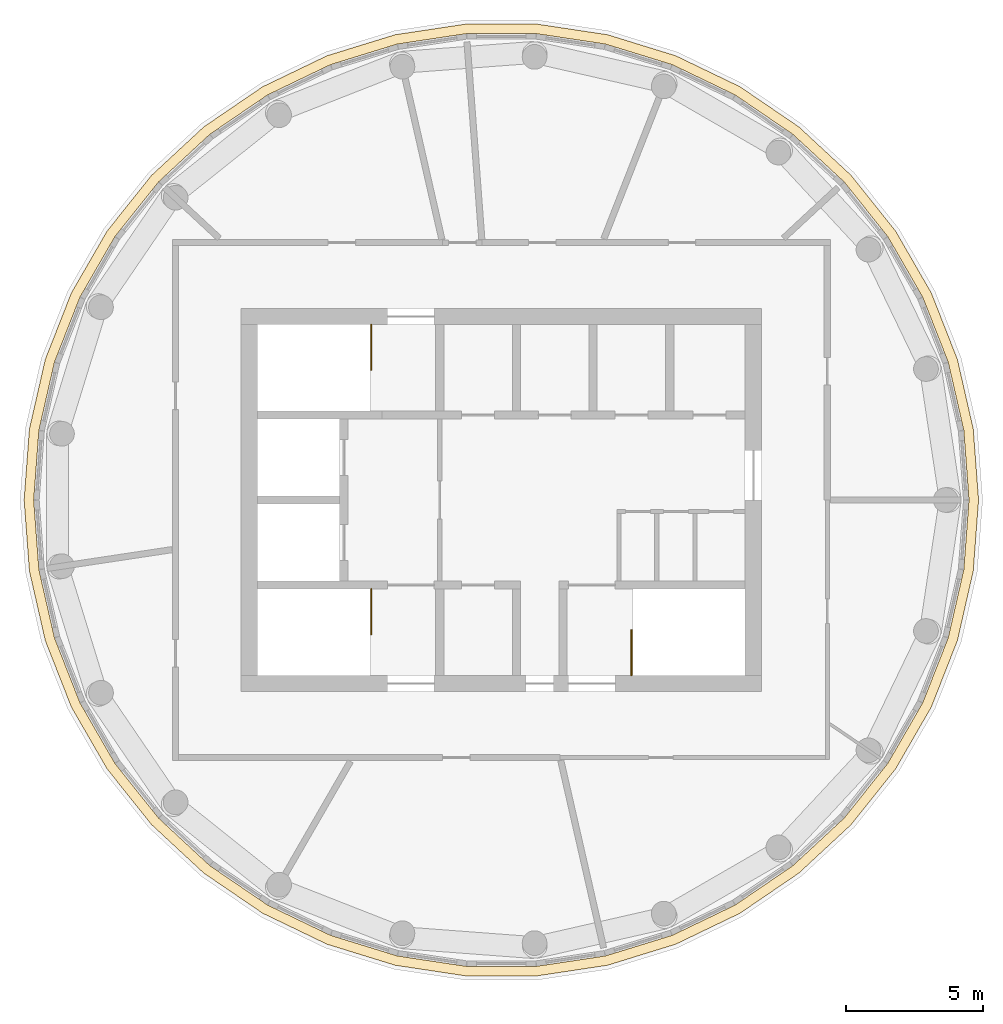
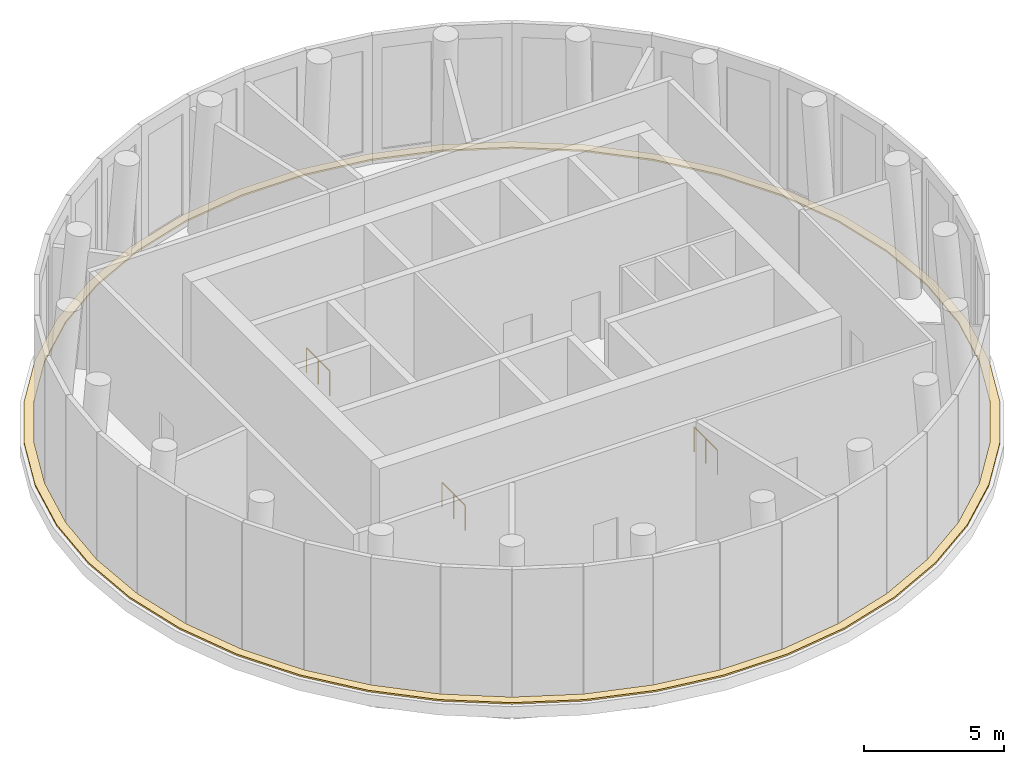
# One storey, part 6 of 6: 3 railings, 1 covering.
"""IFC4 building model written with IfcOpenShell, lengths in metres."""

import ifcopenshell
import ifcopenshell.guid

model = None  # the IFC model being written
_history = None  # IfcOwnerHistory: only IFC2X3 demands one
_inside = {}  # id of a spatial element -> (the spatial element, [elements in it])
_under = {}  # id of a project, library or spatial element -> (it, [spatial elements below it])
_declared = {}  # id of a project -> (the project, [libraries it declares])
_typed = {}  # id of a type object -> (the type object, [elements of that type])
_made_of = {}  # id of a material, layer set ... -> (it, [elements and type objects made of it])


def new_model(schema):
    """Start an empty IFC model of exactly this schema.

    Asked for "IFC4X3", IfcOpenShell would pick the latest addendum, in which some entities
    have other attributes; the version numbers below select the first issue.
    IFC2X3 requires an IfcOwnerHistory on every rooted entity: one is made here for all.
    """
    global model, _history
    if schema == "IFC4X3":
        model = ifcopenshell.file(schema_version=(4, 3, 0, 0))
    else:
        model = ifcopenshell.file(schema=schema)
    _inside.clear()
    _under.clear()
    _declared.clear()
    _typed.clear()
    _made_of.clear()
    _history = None
    if model.schema == "IFC2X3":
        org = make("IfcOrganization", Name="unknown")
        user = make(
            "IfcPersonAndOrganization",
            ThePerson=make("IfcPerson", FamilyName="unknown"),
            TheOrganization=org,
        )
        app = make(
            "IfcApplication",
            ApplicationDeveloper=org,
            Version="unknown",
            ApplicationFullName="unknown",
            ApplicationIdentifier="unknown",
        )
        _history = make(
            "IfcOwnerHistory",
            OwningUser=user,
            OwningApplication=app,
            ChangeAction="ADDED",
            CreationDate=0,
        )
    return model


def make(cls, **values):
    """One entity of the class cls with the attributes given. An attribute that is None is left unset."""
    return model.create_entity(
        cls, **{name: value for name, value in values.items() if value is not None}
    )


def rooted(cls, **values):
    """An entity with a GlobalId (a new one), such as an element, a storey or a relation."""
    return make(cls, GlobalId=ifcopenshell.guid.new(), OwnerHistory=_history, **values)


def si_unit(unit_type, name, prefix=None):
    """IfcSIUnit, for example si_unit("LENGTHUNIT", "METRE", prefix="MILLI")."""
    return make("IfcSIUnit", UnitType=unit_type, Prefix=prefix, Name=name)


def assignment(units):
    """IfcUnitAssignment: the units of a project."""
    return None if units is None else make("IfcUnitAssignment", Units=units)


def point(xyz):
    """IfcCartesianPoint."""
    return None if xyz is None else make("IfcCartesianPoint", Coordinates=xyz)


def direction(xyz):
    """IfcDirection."""
    return None if xyz is None else make("IfcDirection", DirectionRatios=xyz)


def frame(location, z_axis=None, x_axis=None):
    """IfcAxis2Placement3D, a coordinate frame: its origin and axes. An axis left out is left unset."""
    return make(
        "IfcAxis2Placement3D",
        Location=point(location),
        Axis=direction(z_axis),
        RefDirection=direction(x_axis),
    )


def frame_2d(location, x_axis=None):
    """IfcAxis2Placement2D, a coordinate frame in the plane: its origin and x axis."""
    return make(
        "IfcAxis2Placement2D", Location=point(location), RefDirection=direction(x_axis)
    )


def origin():
    """The frame at (0, 0, 0) with its axes left unset."""
    return frame((0.0, 0.0, 0.0))


def origin_2d():
    """The frame at (0, 0) in the plane with its x axis left unset."""
    return frame_2d((0.0, 0.0))


def place(relative_to, where):
    """IfcLocalPlacement: puts the frame where relative to a parent placement (None: the world)."""
    return make(
        "IfcLocalPlacement", PlacementRelTo=relative_to, RelativePlacement=where
    )


def context(
    kind, dimensions, precision=None, world=None, true_north=None, identifier=None
):
    """IfcGeometricRepresentationContext, for example the 3D "Model" context."""
    return make(
        "IfcGeometricRepresentationContext",
        ContextIdentifier=identifier,
        ContextType=kind,
        CoordinateSpaceDimension=dimensions,
        Precision=precision,
        WorldCoordinateSystem=world,
        TrueNorth=true_north,
    )


def subcontext(parent, identifier, kind, view, scale=None):
    """IfcGeometricRepresentationSubContext, for example "Body" below "Model"."""
    return make(
        "IfcGeometricRepresentationSubContext",
        ContextIdentifier=identifier,
        ContextType=kind,
        ParentContext=parent,
        TargetScale=scale,
        TargetView=view,
    )


def project(units=None, contexts=None):
    """IfcProject with its units and contexts."""
    return rooted(
        "IfcProject",
        Name="project",
        RepresentationContexts=contexts,
        UnitsInContext=assignment(units),
    )


def spatial(cls, under=None, at=None, **own):
    """A site, building, storey or space (cls), placed at a placement, below another one or the project."""
    s = rooted(cls, ObjectPlacement=at, **own)
    if under is not None:
        _under.setdefault(under.id(), (under, []))[1].append(s)
    return s


def polyline(points):
    """IfcPolyline through the points."""
    return make("IfcPolyline", Points=[point(p) for p in points])


def profile(cls, at=None, kind="AREA", **sizes):
    """A parametric profile (cls). Its sizes go by their IFC names, for example OverallWidth=200.0."""
    return make(cls, ProfileType=kind, Position=at, **sizes)


def circle(**sizes):
    """IfcCircleProfileDef."""
    return profile("IfcCircleProfileDef", **sizes)


def outline(outer, holes=None, kind="AREA"):
    """IfcArbitraryClosedProfileDef: a profile drawn as a closed curve; with holes, ...WithVoids."""
    if holes is None:
        return make("IfcArbitraryClosedProfileDef", ProfileType=kind, OuterCurve=outer)
    return make(
        "IfcArbitraryProfileDefWithVoids",
        ProfileType=kind,
        OuterCurve=outer,
        InnerCurves=holes,
    )


def extrude(swept, where, along, depth):
    """IfcExtrudedAreaSolid: the profile swept, set in the frame where, extruded along a direction by depth."""
    return make(
        "IfcExtrudedAreaSolid",
        SweptArea=swept,
        Position=where,
        ExtrudedDirection=direction(along),
        Depth=depth,
    )


def shape(context_of_items, identifier, shape_type, items):
    """IfcShapeRepresentation: the items that make up one representation, for example the "Body"."""
    return make(
        "IfcShapeRepresentation",
        ContextOfItems=context_of_items,
        RepresentationIdentifier=identifier,
        RepresentationType=shape_type,
        Items=items,
    )


def material(Name=None, Category=None):
    """IfcMaterial."""
    return make("IfcMaterial", Name=Name, Category=Category)


def layer(
    of_material, thickness, ventilated=None, Name=None, Category=None, Priority=None
):
    """IfcMaterialLayer: one layer of a wall or slab, of a material (None: an air gap)."""
    return make(
        "IfcMaterialLayer",
        Material=of_material,
        LayerThickness=thickness,
        IsVentilated=ventilated,
        Name=Name,
        Category=Category,
        Priority=Priority,
    )


def layer_set(layers, Name=None):
    """IfcMaterialLayerSet."""
    return make("IfcMaterialLayerSet", MaterialLayers=layers, LayerSetName=Name)


def made_of(thing, what):
    """Note that an element or type object is made of a material, layer set ...; save() writes the relation."""
    if what is not None:
        _made_of.setdefault(what.id(), (what, []))[1].append(thing)
    return thing


def type_object(cls, material=None, **own):
    """A type object (cls), such as IfcWallType, which elements share."""
    return made_of(rooted(cls, **own), material)


def element(
    cls,
    number,
    at=None,
    inside=None,
    cuts=None,
    type_object=None,
    material=None,
    context=None,
    identifier="Body",
    shape_type=None,
    held_by="IfcProductDefinitionShape",
    body=None,
    shapes=None,
    **own,
):
    """One element of the class cls, such as IfcWall. Its Tag is "e" and its number.

    at: its placement. inside: the storey or other place that contains it. cuts: it is an
    opening in that element (IfcRelVoidsElement). A single representation is given by context,
    identifier, shape_type and body (its items); several are given by shapes. held_by: the class
    of the entity that holds the representations. save() writes the other relations.
    """
    e = rooted(cls, Tag="e%d" % number, ObjectPlacement=at, **own)
    if body is not None:
        shapes = [shape(context, identifier, shape_type, body)]
    if shapes is not None:
        e.Representation = make(held_by, Representations=shapes)
    if inside is not None:
        _inside.setdefault(inside.id(), (inside, []))[1].append(e)
    if cuts is not None:
        rooted(
            "IfcRelVoidsElement", RelatingBuildingElement=cuts, RelatedOpeningElement=e
        )
    if type_object is not None:
        _typed.setdefault(type_object.id(), (type_object, []))[1].append(e)
    return made_of(e, material)


def aggregate(whole, parts):
    """IfcRelAggregates: a whole, such as a stair, and the parts it consists of."""
    return rooted("IfcRelAggregates", RelatingObject=whole, RelatedObjects=parts)


def save(model, path):
    """Write the relations noted so far, then the file.

    IfcRelAggregates (storeys below a building ...), IfcRelContainedInSpatialStructure (elements
    in a storey), IfcRelDefinesByType, IfcRelAssociatesMaterial and IfcRelDeclares: one each for
    every whole, place, type object, material and project.
    """
    for whole, parts in _under.values():
        aggregate(whole, parts)
    for where, things in _inside.values():
        rooted(
            "IfcRelContainedInSpatialStructure",
            RelatedElements=things,
            RelatingStructure=where,
        )
    for kind, things in _typed.values():
        rooted("IfcRelDefinesByType", RelatedObjects=things, RelatingType=kind)
    for what, things in _made_of.values():
        rooted("IfcRelAssociatesMaterial", RelatedObjects=things, RelatingMaterial=what)
    for by, libraries in _declared.values():
        rooted("IfcRelDeclares", RelatingContext=by, RelatedDefinitions=libraries)
    model.write(path)


model = new_model("IFC4")

# Units and contexts
model_context = context("Model", 3, precision=1e-05, world=origin(), true_north=direction((0.0, 1.0)))
body_context = subcontext(model_context, "Body", "Model", "MODEL_VIEW")
ifc_project = project(units=[si_unit("LENGTHUNIT", "METRE"), si_unit("AREAUNIT", "SQUARE_METRE"), si_unit("VOLUMEUNIT", "CUBIC_METRE"), si_unit("PLANEANGLEUNIT", "RADIAN"), si_unit("MASSUNIT", "GRAM", prefix="KILO")], contexts=[model_context])

# Site, building, storey
site_placement = place(None, origin())
site = spatial("IfcSite", under=ifc_project, at=site_placement, CompositionType="ELEMENT")
building_placement = place(site_placement, origin())
building = spatial("IfcBuilding", under=site, at=building_placement, Name="Tracery Tower", CompositionType="ELEMENT")
storey_placement = place(building_placement, frame((0.0, 0.0, 358.199951171875)))
storey = spatial("IfcBuildingStorey", under=building, at=storey_placement, Name="L91 Plant", CompositionType="ELEMENT", Elevation=358.199951171875)

# Covering
ifc_material_1 = material(Name="Roof membrane on insulation")
ifc_layer = layer(ifc_material_1, 0.070068359375)
ifc_layer_set = layer_set([ifc_layer], Name="Crown ledge roof membrane 70")
covering_type = type_object("IfcCoveringType", Name="Crown ledge roof membrane 70", PredefinedType="ROOFING", material=ifc_layer_set)
covering_placement = place(storey_placement, origin())
element("IfcCovering", 1, at=covering_placement, inside=storey, type_object=covering_type, Name="Ledge roof L91 Plant", PredefinedType="ROOFING", context=body_context, shape_type="SweptSolid", body=[
    extrude(outline(polyline([(17.421875, 0.0), (17.227294921875, 2.5966796875), (16.647705078125, 5.13525390625), (15.696533203125, 7.55908203125), (14.39453125, 9.81396484375), (12.77099609375, 11.849853515625), (10.8623046875, 13.620849609375), (8.7109375, 15.087646484375), (6.364990234375, 16.217529296875), (3.876708984375, 16.985107421875), (1.302001953125, 17.373046875), (-1.302001953125, 17.373046875), (-3.876708984375, 16.985107421875), (-6.364990234375, 16.217529296875), (-8.7109375, 15.087646484375), (-10.8623046875, 13.620849609375), (-12.77099609375, 11.849853515625), (-14.39453125, 9.81396484375), (-15.696533203125, 7.55908203125), (-16.647705078125, 5.13525390625), (-17.227294921875, 2.5966796875), (-17.421875, 0.0), (-17.227294921875, -2.5966796875), (-16.647705078125, -5.13525390625), (-15.696533203125, -7.55908203125), (-14.39453125, -9.81396484375), (-12.77099609375, -11.849853515625), (-10.8623046875, -13.620849609375), (-8.7109375, -15.087646484375), (-6.364990234375, -16.217529296875), (-3.876708984375, -16.985107421875), (-1.302001953125, -17.373046875), (1.302001953125, -17.373046875), (3.876708984375, -16.985107421875), (6.364990234375, -16.217529296875), (8.7109375, -15.087646484375), (10.8623046875, -13.620849609375), (12.77099609375, -11.849853515625), (14.39453125, -9.81396484375), (15.696533203125, -7.55908203125), (16.647705078125, -5.13525390625), (17.227294921875, -2.5966796875), (17.421875, 0.0)]), holes=[polyline([(17.072265625, 0.0), (16.881591796875, -2.54443359375), (16.313720703125, -5.031982421875), (15.381591796875, -7.4072265625), (14.105712890625, -9.6171875), (12.514892578125, -11.612060546875), (10.644287109375, -13.34765625), (8.5361328125, -14.784912109375), (6.2373046875, -15.89208984375), (3.798828125, -16.644287109375), (1.27587890625, -17.0244140625), (-1.27587890625, -17.0244140625), (-3.798828125, -16.644287109375), (-6.2373046875, -15.89208984375), (-8.5361328125, -14.784912109375), (-10.644287109375, -13.34765625), (-12.514892578125, -11.612060546875), (-14.105712890625, -9.6171875), (-15.381591796875, -7.4072265625), (-16.313720703125, -5.031982421875), (-16.881591796875, -2.54443359375), (-17.072265625, 0.0), (-16.881591796875, 2.54443359375), (-16.313720703125, 5.031982421875), (-15.381591796875, 7.4072265625), (-14.105712890625, 9.6171875), (-12.514892578125, 11.612060546875), (-10.644287109375, 13.34765625), (-8.5361328125, 14.784912109375), (-6.2373046875, 15.89208984375), (-3.798828125, 16.644287109375), (-1.27587890625, 17.0244140625), (1.27587890625, 17.0244140625), (3.798828125, 16.644287109375), (6.2373046875, 15.89208984375), (8.5361328125, 14.784912109375), (10.644287109375, 13.34765625), (12.514892578125, 11.612060546875), (14.105712890625, 9.6171875), (15.381591796875, 7.4072265625), (16.313720703125, 5.031982421875), (16.881591796875, 2.54443359375), (17.072265625, 0.0)])]), origin(), (0.0, 0.0, 1.0), 0.070068359375),
])

# Railings
ifc_material_2 = material(Name="Stainless steel and laminated glass", Category="steel")
railing_type = type_object("IfcRailingType", Name="Stair guard 1100", PredefinedType="GUARDRAIL", material=ifc_material_2)
for number, where, name in (
    (2, (-4.75, -3.25, 0.0), "L91 Plant stair ST1 well guard 1"),
    (3, (-4.75, 6.39990234375, 0.0), "L91 Plant stair ST3 well guard 1"),
):
    element("IfcRailing", number, at=place(storey_placement, frame(where)), inside=storey, type_object=railing_type, Name=name, PredefinedType="GUARDRAIL", context=body_context, shape_type="SweptSolid", body=[
        extrude(circle(Radius=0.02392578125, at=origin_2d()), frame((0.0, 0.0, 1.076171875), z_axis=(0.0, -1.0, 0.0), x_axis=(1.0, 0.0, 0.0)), (0.0, 0.0, 1.0), 1.64990234375),
        extrude(circle(Radius=0.02099609375, at=origin_2d()), origin(), (0.0, 0.0, 1.0), 1.052001953125),
        extrude(circle(Radius=0.02099609375, at=origin_2d()), frame((0.0, -0.824951171875, 0.0)), (0.0, 0.0, 1.0), 1.052001953125),
        extrude(circle(Radius=0.02099609375, at=origin_2d()), frame((0.0, -1.64990234375, 0.0)), (0.0, 0.0, 1.0), 1.052001953125),
    ])
railing_placement = place(storey_placement, frame((4.75, -6.39990234375, 0.0)))
element("IfcRailing", 4, at=railing_placement, inside=storey, type_object=railing_type, Name="L91 Plant stair ST2 well guard 1", PredefinedType="GUARDRAIL", context=body_context, shape_type="SweptSolid", body=[
    extrude(circle(Radius=0.02392578125, at=origin_2d()), frame((0.0, 0.0, 1.076171875), z_axis=(0.0, 1.0, 0.0), x_axis=(-1.0, 0.0, 0.0)), (0.0, 0.0, 1.0), 1.64990234375),
    extrude(circle(Radius=0.02099609375, at=origin_2d()), origin(), (0.0, 0.0, 1.0), 1.052001953125),
    extrude(circle(Radius=0.02099609375, at=origin_2d()), frame((0.0, 0.824951171875, 0.0)), (0.0, 0.0, 1.0), 1.052001953125),
    extrude(circle(Radius=0.02099609375, at=origin_2d()), frame((0.0, 1.64990234375, 0.0)), (0.0, 0.0, 1.0), 1.052001953125),
])

save(model, "model.ifc")
